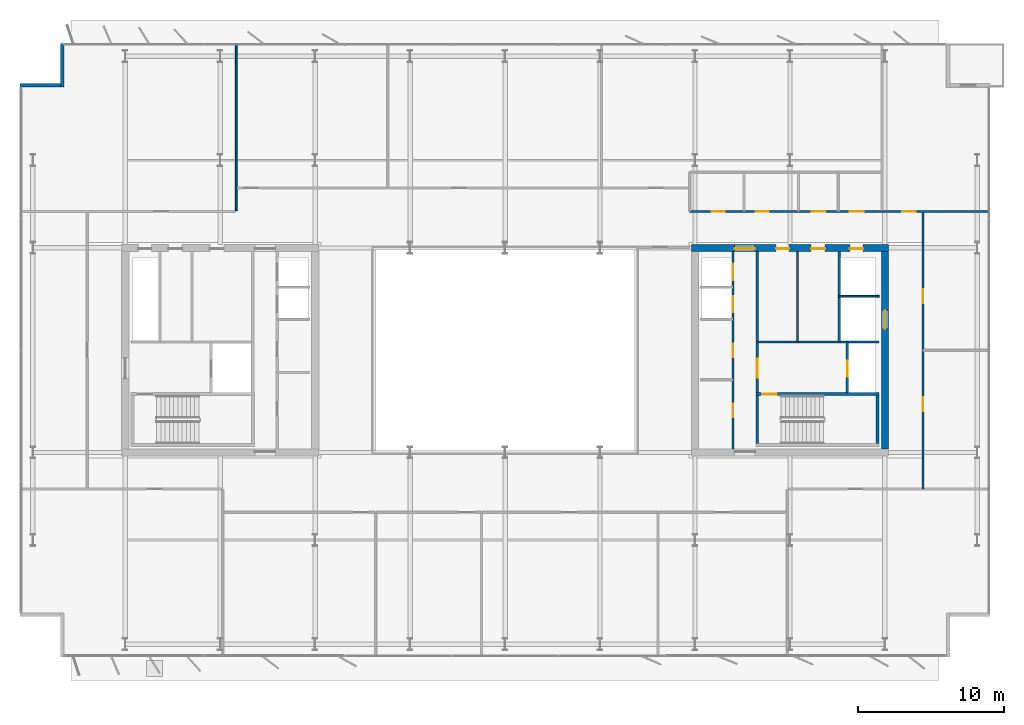
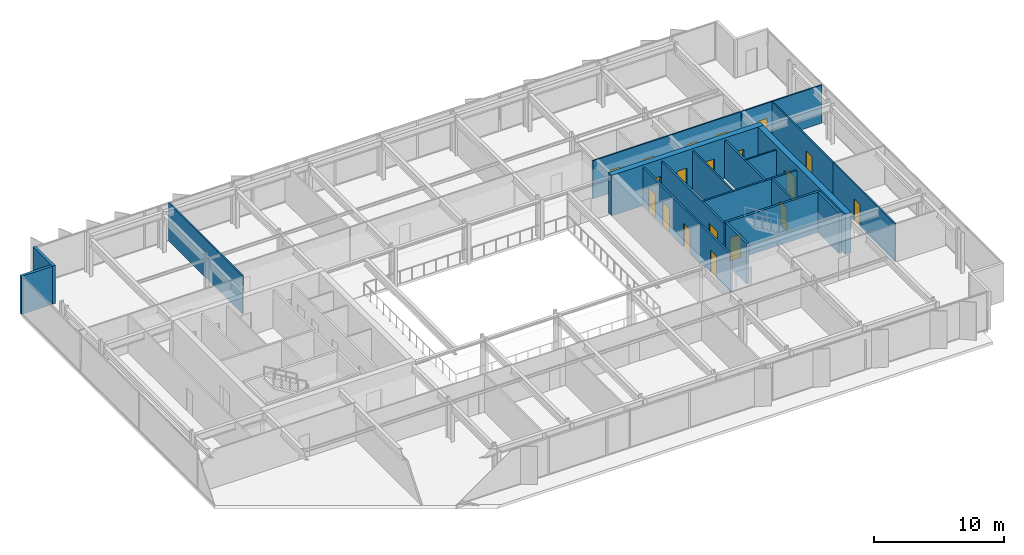
# One storey, part 18 of 23: 19 doors, 19 walls, 19 openings.
"""IFC4 building model written with IfcOpenShell, lengths in metres."""

from ifc_helpers import new_model, si_unit, direction, frame, frame_2d, origin, place, context, subcontext, project, spatial, rectangle, extrude, material, layer, layer_set, type_object, element, fill, save


model = new_model("IFC4")

# Units and contexts
model_context = context("Model", 3, precision=1e-05, world=origin(), true_north=direction((0.0, 1.0)))
body_context = subcontext(model_context, "Body", "Model", "MODEL_VIEW")
ifc_project = project(units=[si_unit("LENGTHUNIT", "METRE"), si_unit("AREAUNIT", "SQUARE_METRE"), si_unit("VOLUMEUNIT", "CUBIC_METRE"), si_unit("PLANEANGLEUNIT", "RADIAN"), si_unit("MASSUNIT", "GRAM", prefix="KILO")], contexts=[model_context])

# Site, building, storey
site_placement = place(None, origin())
site = spatial("IfcSite", under=ifc_project, at=site_placement, CompositionType="ELEMENT")
building_placement = place(site_placement, origin())
building = spatial("IfcBuilding", under=site, at=building_placement, Name="Putna Gate Headquarters", CompositionType="ELEMENT")
storey_placement = place(building_placement, frame((0.0, 0.0, 202.39990234375)))
storey = spatial("IfcBuildingStorey", under=building, at=storey_placement, Name="L50", CompositionType="ELEMENT", Elevation=202.39990234375)

# Wall, openings, doors
ifc_material_1 = material(Name="Concrete C50/60", Category="concrete")
ifc_layer_1 = layer(ifc_material_1, 0.5)
ifc_layer_set_1 = layer_set([ifc_layer_1], Name="Concrete C50/60")
wall_type_1 = type_object("IfcWallType", Name="WALL-CORE-500", PredefinedType="SHEAR", material=ifc_layer_set_1)
wall_1_placement = place(storey_placement, frame((51.75, 33.0, 0.0), z_axis=(0.0, 0.0, 1.0), x_axis=(1.0, 0.0, 0.0)))
wall_1 = element("IfcWall", 1, at=wall_1_placement, inside=storey, type_object=wall_type_1, Name="L50 EC Split Core Shear Wall N", PredefinedType="SHEAR", context=body_context, shape_type="SweptSolid", body=[
    extrude(rectangle(XDim=13.5, YDim=0.5, at=frame_2d((6.75, 0.0))), origin(), (0.0, 0.0, 1.0), 3.800048828125),
])
opening_1_placement = place(wall_1_placement, frame((2.969970703125, 0.0, 0.0)))
opening_1 = element("IfcOpeningElement", 2, at=opening_1_placement, cuts=wall_1, Name="Opening FDD-140", PredefinedType="OPENING", context=body_context, shape_type="SweptSolid", body=[
    extrude(rectangle(XDim=1.39990234375, YDim=2.199951171875, at=frame_2d((0.699951171875, 1.10009765625))), frame((0.0, 0.260009765625, 0.0), z_axis=(0.0, -1.0, 0.0), x_axis=(1.0, 0.0, 0.0)), (0.0, 0.0, 1.0), 0.52001953125),
])
opening_2_placement = place(wall_1_placement, frame((10.85009765625, 0.0, 0.0)))
opening_2 = element("IfcOpeningElement", 3, at=opening_2_placement, cuts=wall_1, Name="Opening RD-90", PredefinedType="OPENING", context=body_context, shape_type="SweptSolid", body=[
    extrude(rectangle(XDim=0.89990234375, YDim=2.14990234375, at=frame_2d((0.449951171875, 1.074951171875))), frame((0.0, 0.260009765625, 0.0), z_axis=(0.0, -1.0, 0.0), x_axis=(1.0, 0.0, 0.0)), (0.0, 0.0, 1.0), 0.52001953125),
])
opening_3_placement = place(wall_1_placement, frame((5.800048828125, 0.0, 0.0)))
opening_3 = element("IfcOpeningElement", 4, at=opening_3_placement, cuts=wall_1, Name="Opening IDS-90", PredefinedType="OPENING", context=body_context, shape_type="SweptSolid", body=[
    extrude(rectangle(XDim=0.89990234375, YDim=2.14990234375, at=frame_2d((0.449951171875, 1.074951171875))), frame((0.0, 0.260009765625, 0.0), z_axis=(0.0, -1.0, 0.0), x_axis=(1.0, 0.0, 0.0)), (0.0, 0.0, 1.0), 0.52001953125),
])
opening_4_placement = place(wall_1_placement, frame((8.199951171875, 0.0, 0.0)))
opening_4 = element("IfcOpeningElement", 5, at=opening_4_placement, cuts=wall_1, Name="Opening IDS-95", PredefinedType="OPENING", context=body_context, shape_type="SweptSolid", body=[
    extrude(rectangle(XDim=0.949951171875, YDim=2.14990234375, at=frame_2d((0.47509765625, 1.074951171875))), frame((0.0, 0.260009765625, 0.0), z_axis=(0.0, -1.0, 0.0), x_axis=(1.0, 0.0, 0.0)), (0.0, 0.0, 1.0), 0.52001953125),
])
ifc_material_2 = material(Name="Double steel fire door", Category="steel")
door_type_1 = type_object("IfcDoorType", Name="DOOR-FIRE-DBL-1400", OperationType="DOUBLE_DOOR_SINGLE_SWING", PredefinedType="DOOR", material=ifc_material_2)
door_1_placement = place(opening_1_placement, origin())
door_1 = element("IfcDoor", 6, at=door_1_placement, inside=storey, type_object=door_type_1, Name="L50 East Lift Lobby North Door", OperationType="DOUBLE_DOOR_SINGLE_SWING", OverallHeight=2.199951171875, OverallWidth=1.39990234375, PredefinedType="DOOR", context=body_context, shape_type="SweptSolid", body=[
    extrude(rectangle(XDim=1.39990234375, YDim=2.199951171875, at=frame_2d((0.699951171875, 1.10009765625))), frame((0.0, -0.02490234375, 0.0), z_axis=(0.0, -1.0, 0.0), x_axis=(1.0, 0.0, 0.0)), (0.0, 0.0, 1.0), 0.050048828125),
])
fill(opening_1, door_1)
ifc_material_3 = material(Name="Fire-rated utility door")
door_type_2 = type_object("IfcDoorType", Name="DOOR-INT-900", OperationType="NOTDEFINED", PredefinedType="DOOR", material=ifc_material_3)
door_2_placement = place(opening_3_placement, origin())
door_2 = element("IfcDoor", 7, at=door_2_placement, inside=storey, type_object=door_type_2, Name="L50 Telecoms Plant Door", OperationType="SINGLE_SWING_LEFT", OverallHeight=2.14990234375, OverallWidth=0.89990234375, PredefinedType="DOOR", context=body_context, shape_type="SweptSolid", body=[
    extrude(rectangle(XDim=0.89990234375, YDim=2.14990234375, at=frame_2d((0.449951171875, 1.074951171875))), frame((0.0, -0.02490234375, 0.0), z_axis=(0.0, -1.0, 0.0), x_axis=(1.0, 0.0, 0.0)), (0.0, 0.0, 1.0), 0.050048828125),
])
fill(opening_3, door_2)
ifc_material_4 = material(Name="Fire-rated service timber door", Category="wood")
door_type_3 = type_object("IfcDoorType", Name="DOOR-INT-950", OperationType="NOTDEFINED", PredefinedType="DOOR", material=ifc_material_4)
door_3_placement = place(opening_4_placement, origin())
door_3 = element("IfcDoor", 8, at=door_3_placement, inside=storey, type_object=door_type_3, Name="L50 Supplies Store Door", OperationType="SINGLE_SWING_RIGHT", OverallHeight=2.14990234375, OverallWidth=0.949951171875, PredefinedType="DOOR", context=body_context, shape_type="SweptSolid", body=[
    extrude(rectangle(XDim=0.949951171875, YDim=2.14990234375, at=frame_2d((0.47509765625, 1.074951171875))), frame((0.0, -0.02490234375, 0.0), z_axis=(0.0, -1.0, 0.0), x_axis=(1.0, 0.0, 0.0)), (0.0, 0.0, 1.0), 0.050048828125),
])
fill(opening_4, door_3)
ifc_material_5 = material(Name="Steel riser access fire door", Category="steel")
door_type_4 = type_object("IfcDoorType", Name="DOOR-RISER-900", OperationType="NOTDEFINED", PredefinedType="DOOR", material=ifc_material_5)
door_4_placement = place(opening_2_placement, origin())
door_4 = element("IfcDoor", 9, at=door_4_placement, inside=storey, type_object=door_type_4, Name="L50 East Riser Access Door", OperationType="SINGLE_SWING_LEFT", OverallHeight=2.14990234375, OverallWidth=0.89990234375, PredefinedType="DOOR", context=body_context, shape_type="SweptSolid", body=[
    extrude(rectangle(XDim=0.89990234375, YDim=2.14990234375, at=frame_2d((0.449951171875, 1.074951171875))), frame((0.0, -0.02490234375, 0.0), z_axis=(0.0, -1.0, 0.0), x_axis=(1.0, 0.0, 0.0)), (0.0, 0.0, 1.0), 0.050048828125),
])
fill(opening_2, door_4)

# Wall, opening, door
wall_2_placement = place(storey_placement, frame((65.0, 19.25, 0.0), z_axis=(0.0, 0.0, 1.0), x_axis=(0.0, 1.0, 0.0)))
wall_2 = element("IfcWall", 10, at=wall_2_placement, inside=storey, type_object=wall_type_1, Name="L50 EC Split Core Shear Wall E", PredefinedType="SHEAR", context=body_context, shape_type="SweptSolid", body=[
    extrude(rectangle(XDim=13.5, YDim=0.5, at=frame_2d((6.75, 0.0))), origin(), (0.0, 0.0, 1.0), 3.800048828125),
])
opening_5_placement = place(wall_2_placement, frame((8.199951171875, 0.0, 0.0)))
opening_5 = element("IfcOpeningElement", 11, at=opening_5_placement, cuts=wall_2, Name="Opening LD-2", PredefinedType="OPENING", context=body_context, shape_type="SweptSolid", body=[
    extrude(rectangle(XDim=1.300048828125, YDim=2.199951171875, at=frame_2d((0.64990234375, 1.10009765625))), frame((0.0, 0.260009765625, 0.0), z_axis=(0.0, -1.0, 0.0), x_axis=(1.0, 0.0, 0.0)), (0.0, 0.0, 1.0), 0.52001953125),
])
ifc_material_6 = material(Name="Heavy-duty goods lift sliding landing door")
door_type_5 = type_object("IfcDoorType", Name="DOOR-LIFT-1300", OperationType="DOUBLE_DOOR_SLIDING", PredefinedType="DOOR", material=ifc_material_6)
door_5_placement = place(opening_5_placement, origin())
door_5 = element("IfcDoor", 12, at=door_5_placement, inside=storey, type_object=door_type_5, Name="L50 Goods Lift Landing Door LD-15", OperationType="DOUBLE_DOOR_SLIDING", OverallHeight=2.199951171875, OverallWidth=1.300048828125, PredefinedType="DOOR", context=body_context, shape_type="SweptSolid", body=[
    extrude(rectangle(XDim=1.300048828125, YDim=2.199951171875, at=frame_2d((0.64990234375, 1.10009765625))), frame((0.0, 0.02490234375, 0.0), z_axis=(0.0, -1.0, 0.0), x_axis=(1.0, 0.0, 0.0)), (0.0, 0.0, 1.0), 0.050048828125),
])
fill(opening_5, door_5)

# Walls
ifc_material_7 = material(Name="Precast concrete C40/50", Category="concrete")
ifc_layer_2 = layer(ifc_material_7, 0.239990234375)
ifc_layer_set_2 = layer_set([ifc_layer_2], Name="Precast concrete C40/50")
wall_type_2 = type_object("IfcWallType", Name="WALL-EXT-TERR-240", PredefinedType="STANDARD", material=ifc_layer_set_2)
for number, where, z_axis, x_axis, name in (
    (13, (8.679931640625, 44.0, 0.0), (0.0, 0.0, 1.0), (0.0, 1.0, 0.0), "L50 Corner Notch Return Wall NW-V"),
    (14, (5.800048828125, 44.1201171875, 0.0), (0.0, 0.0, 1.0), (1.0, 0.0, 0.0), "L50 Corner Notch Return Wall NW-H"),
):
    element("IfcWall", number, at=place(storey_placement, frame(where, z_axis=z_axis, x_axis=x_axis)), inside=storey, type_object=wall_type_2, Name=name, PredefinedType="STANDARD", context=body_context, shape_type="SweptSolid", body=[
        extrude(rectangle(XDim=3.0, YDim=0.239990234375, at=frame_2d((1.5, 0.0))), origin(), (0.0, 0.0, 1.0), 3.580078125),
    ])
ifc_material_8 = material(Name="Acoustic gypsum board on metal stud")
ifc_layer_3 = layer(ifc_material_8, 0.1201171875)
ifc_layer_set_3 = layer_set([ifc_layer_3], Name="Acoustic gypsum board on metal stud")
wall_type_3 = type_object("IfcWallType", Name="WALL-PART-120", PredefinedType="PARTITIONING", material=ifc_layer_set_3)
wall_3_placement = place(storey_placement, frame((20.60888671875, 35.56005859375, 0.0), z_axis=(0.0, 0.0, 1.0), x_axis=(0.0, 1.0, 0.0)))
element("IfcWall", 15, at=wall_3_placement, inside=storey, type_object=wall_type_3, Name="L50 Interior Wall PART-L50-NB-DIV-01", PredefinedType="PARTITIONING", context=body_context, shape_type="SweptSolid", body=[
    extrude(rectangle(XDim=11.419921875, YDim=0.1201171875, at=frame_2d((5.7099609375, 0.0))), origin(), (0.0, 0.0, 1.0), 3.580078125),
])
ifc_material_9 = material(Name="Fire-rated shaftwall gypsum board on metal stud")
ifc_layer_4 = layer(ifc_material_9, 0.1201171875)
ifc_layer_set_4 = layer_set([ifc_layer_4], Name="Fire-rated shaftwall gypsum board on metal stud")
wall_type_4 = type_object("IfcWallType", Name="WALL-PART-120-EI120", PredefinedType="PARTITIONING", material=ifc_layer_set_4)
wall_4_placement = place(storey_placement, frame((61.8701171875, 29.699951171875, 0.0), z_axis=(0.0, 0.0, 1.0), x_axis=(1.0, 0.0, 0.0)))
element("IfcWall", 16, at=wall_4_placement, inside=storey, type_object=wall_type_4, Name="L50 Interior Wall CWINT-L50-EC-LF15-N", PredefinedType="PARTITIONING", context=body_context, shape_type="SweptSolid", body=[
    extrude(rectangle(XDim=2.72998046875, YDim=0.1201171875, at=frame_2d((1.364990234375, 0.0))), origin(), (0.0, 0.0, 1.0), 3.580078125),
])
ifc_material_10 = material(Name="Fire-rated gypsum board on metal stud")
ifc_layer_5 = layer(ifc_material_10, 0.1201171875)
ifc_layer_set_5 = layer_set([ifc_layer_5], Name="Fire-rated gypsum board on metal stud")
wall_type_5 = type_object("IfcWallType", Name="WALL-PART-120-RATED", PredefinedType="PARTITIONING", material=ifc_layer_set_5)
wall_5_placement = place(storey_placement, frame((59.02001953125, 26.56005859375, 0.0), z_axis=(0.0, 0.0, 1.0), x_axis=(0.0, 1.0, 0.0)))
element("IfcWall", 17, at=wall_5_placement, inside=storey, type_object=wall_type_5, Name="L50 Interior Wall CWINT-L50-EC-K1-DIV", PredefinedType="PARTITIONING", context=body_context, shape_type="SweptSolid", body=[
    extrude(rectangle(XDim=6.18994140625, YDim=0.1201171875, at=frame_2d((3.094970703125, 0.0))), origin(), (0.0, 0.0, 1.0), 3.580078125),
])

# Wall, openings, doors
wall_6_placement = place(storey_placement, frame((51.639892578125, 35.5, 0.0), z_axis=(0.0, 0.0, 1.0), x_axis=(1.0, 0.0, 0.0)))
wall_6 = element("IfcWall", 18, at=wall_6_placement, inside=storey, type_object=wall_type_5, Name="L50 Interior Wall PART-L50-SAN-CW", PredefinedType="PARTITIONING", context=body_context, shape_type="SweptSolid", body=[
    extrude(rectangle(XDim=13.16015625, YDim=0.1201171875, at=frame_2d((6.580078125, 0.0))), origin(), (0.0, 0.0, 1.0), 3.580078125),
])
opening_6_placement = place(wall_6_placement, frame((1.510009765625, 0.0, 0.0)))
opening_6 = element("IfcOpeningElement", 19, at=opening_6_placement, cuts=wall_6, Name="Opening FD-90", PredefinedType="OPENING", context=body_context, shape_type="SweptSolid", body=[
    extrude(rectangle(XDim=0.89990234375, YDim=2.14990234375, at=frame_2d((0.449951171875, 1.074951171875))), frame((0.0, 0.070068359375, 0.0), z_axis=(0.0, -1.0, 0.0), x_axis=(1.0, 0.0, 0.0)), (0.0, 0.0, 1.0), 0.14013671875),
])
opening_7_placement = place(wall_6_placement, frame((4.510009765625, 0.0, 0.0)))
opening_7 = element("IfcOpeningElement", 20, at=opening_7_placement, cuts=wall_6, Name="Opening FD-90", PredefinedType="OPENING", context=body_context, shape_type="SweptSolid", body=[
    extrude(rectangle(XDim=0.89990234375, YDim=2.14990234375, at=frame_2d((0.449951171875, 1.074951171875))), frame((0.0, 0.070068359375, 0.0), z_axis=(0.0, -1.0, 0.0), x_axis=(1.0, 0.0, 0.0)), (0.0, 0.0, 1.0), 0.14013671875),
])
opening_8_placement = place(wall_6_placement, frame((8.360107421875, 0.0, 0.0)))
opening_8 = element("IfcOpeningElement", 21, at=opening_8_placement, cuts=wall_6, Name="Opening FD-90", PredefinedType="OPENING", context=body_context, shape_type="SweptSolid", body=[
    extrude(rectangle(XDim=0.89990234375, YDim=2.14990234375, at=frame_2d((0.449951171875, 1.074951171875))), frame((0.0, 0.070068359375, 0.0), z_axis=(0.0, -1.0, 0.0), x_axis=(1.0, 0.0, 0.0)), (0.0, 0.0, 1.0), 0.14013671875),
])
opening_9_placement = place(wall_6_placement, frame((10.9599609375, 0.0, 0.0)))
opening_9 = element("IfcOpeningElement", 22, at=opening_9_placement, cuts=wall_6, Name="Opening FD-95", PredefinedType="OPENING", context=body_context, shape_type="SweptSolid", body=[
    extrude(rectangle(XDim=0.949951171875, YDim=2.14990234375, at=frame_2d((0.47509765625, 1.074951171875))), frame((0.0, 0.070068359375, 0.0), z_axis=(0.0, -1.0, 0.0), x_axis=(1.0, 0.0, 0.0)), (0.0, 0.0, 1.0), 0.14013671875),
])
ifc_material_11 = material(Name="Acoustic washroom fire door")
door_type_6 = type_object("IfcDoorType", Name="DOOR-FIRE-900", OperationType="NOTDEFINED", PredefinedType="DOOR", material=ifc_material_11)
door_6_placement = place(opening_6_placement, origin())
door_6 = element("IfcDoor", 23, at=door_6_placement, inside=storey, type_object=door_type_6, Name="L50 Washroom Male Door", OperationType="SINGLE_SWING_RIGHT", OverallHeight=2.14990234375, OverallWidth=0.89990234375, PredefinedType="DOOR", context=body_context, shape_type="SweptSolid", body=[
    extrude(rectangle(XDim=0.89990234375, YDim=2.14990234375, at=frame_2d((0.449951171875, 1.074951171875))), frame((0.0, 0.02490234375, 0.0), z_axis=(0.0, -1.0, 0.0), x_axis=(1.0, 0.0, 0.0)), (0.0, 0.0, 1.0), 0.050048828125),
])
fill(opening_6, door_6)
door_7_placement = place(opening_7_placement, origin())
door_7 = element("IfcDoor", 24, at=door_7_placement, inside=storey, type_object=door_type_6, Name="L50 Washroom Female Door", OperationType="SINGLE_SWING_LEFT", OverallHeight=2.14990234375, OverallWidth=0.89990234375, PredefinedType="DOOR", context=body_context, shape_type="SweptSolid", body=[
    extrude(rectangle(XDim=0.89990234375, YDim=2.14990234375, at=frame_2d((0.449951171875, 1.074951171875))), frame((0.0, 0.02490234375, 0.0), z_axis=(0.0, -1.0, 0.0), x_axis=(1.0, 0.0, 0.0)), (0.0, 0.0, 1.0), 0.050048828125),
])
fill(opening_7, door_7)
door_8_placement = place(opening_8_placement, origin())
door_8 = element("IfcDoor", 25, at=door_8_placement, inside=storey, type_object=door_type_6, Name="L50 Accessible WC Door", OperationType="SINGLE_SWING_RIGHT", OverallHeight=2.14990234375, OverallWidth=0.89990234375, PredefinedType="DOOR", context=body_context, shape_type="SweptSolid", body=[
    extrude(rectangle(XDim=0.89990234375, YDim=2.14990234375, at=frame_2d((0.449951171875, 1.074951171875))), frame((0.0, 0.02490234375, 0.0), z_axis=(0.0, -1.0, 0.0), x_axis=(1.0, 0.0, 0.0)), (0.0, 0.0, 1.0), 0.050048828125),
])
fill(opening_8, door_8)
ifc_material_12 = material(Name="Acoustic timber fire door", Category="wood")
door_type_7 = type_object("IfcDoorType", Name="DOOR-FIRE-950", OperationType="NOTDEFINED", PredefinedType="DOOR", material=ifc_material_12)
door_9_placement = place(opening_9_placement, origin())
door_9 = element("IfcDoor", 26, at=door_9_placement, inside=storey, type_object=door_type_7, Name="L50 Staff Pantry and Tea Point Door", OperationType="SINGLE_SWING_LEFT", OverallHeight=2.14990234375, OverallWidth=0.949951171875, PredefinedType="DOOR", context=body_context, shape_type="SweptSolid", body=[
    extrude(rectangle(XDim=0.949951171875, YDim=2.14990234375, at=frame_2d((0.47509765625, 1.074951171875))), frame((0.0, 0.02490234375, 0.0), z_axis=(0.0, -1.0, 0.0), x_axis=(1.0, 0.0, 0.0)), (0.0, 0.0, 1.0), 0.050048828125),
])
fill(opening_9, door_9)

# Wall, opening, door
wall_7_placement = place(storey_placement, frame((64.860107421875, 35.5, 0.0), z_axis=(0.0, 0.0, 1.0), x_axis=(1.0, 0.0, 0.0)))
wall_7 = element("IfcWall", 27, at=wall_7_placement, inside=storey, type_object=wall_type_5, Name="L50 Interior Wall PART-L50-NB-CW-05", PredefinedType="PARTITIONING", context=body_context, shape_type="SweptSolid", body=[
    extrude(rectangle(XDim=7.159912109375, YDim=0.1201171875, at=frame_2d((3.580078125, 0.0))), origin(), (0.0, 0.0, 1.0), 3.580078125),
])
opening_10_placement = place(wall_7_placement, frame((1.31005859375, 0.0, 0.0)))
opening_10 = element("IfcOpeningElement", 28, at=opening_10_placement, cuts=wall_7, Name="Opening FD-95", PredefinedType="OPENING", context=body_context, shape_type="SweptSolid", body=[
    extrude(rectangle(XDim=0.949951171875, YDim=2.14990234375, at=frame_2d((0.47509765625, 1.074951171875))), frame((0.0, 0.070068359375, 0.0), z_axis=(0.0, -1.0, 0.0), x_axis=(1.0, 0.0, 0.0)), (0.0, 0.0, 1.0), 0.14013671875),
])
door_10_placement = place(opening_10_placement, origin())
door_10 = element("IfcDoor", 29, at=door_10_placement, inside=storey, type_object=door_type_7, Name="L50 Conference Meeting Room 2 Door", OperationType="SINGLE_SWING_RIGHT", OverallHeight=2.14990234375, OverallWidth=0.949951171875, PredefinedType="DOOR", context=body_context, shape_type="SweptSolid", body=[
    extrude(rectangle(XDim=0.949951171875, YDim=2.14990234375, at=frame_2d((0.47509765625, 1.074951171875))), frame((0.0, 0.02490234375, 0.0), z_axis=(0.0, -1.0, 0.0), x_axis=(1.0, 0.0, 0.0)), (0.0, 0.0, 1.0), 0.050048828125),
])
fill(opening_10, door_10)

wall_8_placement = place(storey_placement, frame((67.60009765625, 16.5, 0.0), z_axis=(0.0, 0.0, 1.0), x_axis=(0.0, 1.0, 0.0)))
wall_8 = element("IfcWall", 30, at=wall_8_placement, inside=storey, type_object=wall_type_5, Name="L50 Interior Wall PART-L50-EW-CW-1", PredefinedType="PARTITIONING", context=body_context, shape_type="SweptSolid", body=[
    extrude(rectangle(XDim=9.5, YDim=0.1201171875, at=frame_2d((4.75, 0.0))), origin(), (0.0, 0.0, 1.0), 3.580078125),
])
opening_11_placement = place(wall_8_placement, frame((5.324951171875, 0.0, 0.0)))
opening_11 = element("IfcOpeningElement", 31, at=opening_11_placement, cuts=wall_8, Name="Opening FD-95", PredefinedType="OPENING", context=body_context, shape_type="SweptSolid", body=[
    extrude(rectangle(XDim=0.949951171875, YDim=2.14990234375, at=frame_2d((0.47509765625, 1.074951171875))), frame((0.0, 0.070068359375, 0.0), z_axis=(0.0, -1.0, 0.0), x_axis=(1.0, 0.0, 0.0)), (0.0, 0.0, 1.0), 0.14013671875),
])
door_11_placement = place(opening_11_placement, origin())
door_11 = element("IfcDoor", 32, at=door_11_placement, inside=storey, type_object=door_type_7, Name="L50 East Advisory Office 1 Door", OperationType="SINGLE_SWING_RIGHT", OverallHeight=2.14990234375, OverallWidth=0.949951171875, PredefinedType="DOOR", context=body_context, shape_type="SweptSolid", body=[
    extrude(rectangle(XDim=0.949951171875, YDim=2.14990234375, at=frame_2d((0.47509765625, 1.074951171875))), frame((0.0, 0.02490234375, 0.0), z_axis=(0.0, -1.0, 0.0), x_axis=(1.0, 0.0, 0.0)), (0.0, 0.0, 1.0), 0.050048828125),
])
fill(opening_11, door_11)

wall_9_placement = place(storey_placement, frame((67.60009765625, 26.0, 0.0), z_axis=(0.0, 0.0, 1.0), x_axis=(0.0, 1.0, 0.0)))
wall_9 = element("IfcWall", 33, at=wall_9_placement, inside=storey, type_object=wall_type_5, Name="L50 Interior Wall PART-L50-EW-CW-2", PredefinedType="PARTITIONING", context=body_context, shape_type="SweptSolid", body=[
    extrude(rectangle(XDim=9.5, YDim=0.1201171875, at=frame_2d((4.75, 0.0))), origin(), (0.0, 0.0, 1.0), 3.580078125),
])
opening_12_placement = place(wall_9_placement, frame((3.22509765625, 0.0, 0.0)))
opening_12 = element("IfcOpeningElement", 34, at=opening_12_placement, cuts=wall_9, Name="Opening FD-95", PredefinedType="OPENING", context=body_context, shape_type="SweptSolid", body=[
    extrude(rectangle(XDim=0.949951171875, YDim=2.14990234375, at=frame_2d((0.47509765625, 1.074951171875))), frame((0.0, 0.070068359375, 0.0), z_axis=(0.0, -1.0, 0.0), x_axis=(1.0, 0.0, 0.0)), (0.0, 0.0, 1.0), 0.14013671875),
])
door_12_placement = place(opening_12_placement, origin())
door_12 = element("IfcDoor", 35, at=door_12_placement, inside=storey, type_object=door_type_7, Name="L50 East Advisory Office 2 Door", OperationType="SINGLE_SWING_LEFT", OverallHeight=2.14990234375, OverallWidth=0.949951171875, PredefinedType="DOOR", context=body_context, shape_type="SweptSolid", body=[
    extrude(rectangle(XDim=0.949951171875, YDim=2.14990234375, at=frame_2d((0.47509765625, 1.074951171875))), frame((0.0, 0.02490234375, 0.0), z_axis=(0.0, -1.0, 0.0), x_axis=(1.0, 0.0, 0.0)), (0.0, 0.0, 1.0), 0.050048828125),
])
fill(opening_12, door_12)

# Wall, openings, doors
ifc_material_13 = material(Name="Concrete C40/50", Category="concrete")
ifc_layer_6 = layer(ifc_material_13, 0.159912109375)
ifc_layer_set_6 = layer_set([ifc_layer_6], Name="Concrete C40/50")
wall_type_6 = type_object("IfcWallType", Name="WALL-SHAFT-160", PredefinedType="STANDARD", material=ifc_layer_set_6)
wall_10_placement = place(storey_placement, frame((54.60009765625, 19.25, 0.0), z_axis=(0.0, 0.0, 1.0), x_axis=(0.0, 1.0, 0.0)))
wall_10 = element("IfcWall", 36, at=wall_10_placement, inside=storey, type_object=wall_type_6, Name="L50 Interior Wall CWINT-L50-EC-PL-WALL", PredefinedType="STANDARD", context=body_context, shape_type="SweptSolid", body=[
    extrude(rectangle(XDim=13.5, YDim=0.159912109375, at=frame_2d((6.75, 0.0))), origin(), (0.0, 0.0, 1.0), 3.580078125),
])
opening_13_placement = place(wall_10_placement, frame((2.14990234375, 0.0, 0.0)))
opening_13 = element("IfcOpeningElement", 37, at=opening_13_placement, cuts=wall_10, Name="Opening IDS-95", PredefinedType="OPENING", context=body_context, shape_type="SweptSolid", body=[
    extrude(rectangle(XDim=0.949951171875, YDim=2.14990234375, at=frame_2d((0.47509765625, 1.074951171875))), frame((0.0, 0.08984375, 0.0), z_axis=(0.0, -1.0, 0.0), x_axis=(1.0, 0.0, 0.0)), (0.0, 0.0, 1.0), 0.179931640625),
])
opening_14_placement = place(wall_10_placement, frame((6.25, 0.0, 0.0)))
opening_14 = element("IfcOpeningElement", 38, at=opening_14_placement, cuts=wall_10, Name="Opening IDS-95", PredefinedType="OPENING", context=body_context, shape_type="SweptSolid", body=[
    extrude(rectangle(XDim=0.949951171875, YDim=2.14990234375, at=frame_2d((0.47509765625, 1.074951171875))), frame((0.0, 0.08984375, 0.0), z_axis=(0.0, -1.0, 0.0), x_axis=(1.0, 0.0, 0.0)), (0.0, 0.0, 1.0), 0.179931640625),
])
opening_15_placement = place(wall_10_placement, frame((9.35009765625, 0.0, 0.0)))
opening_15 = element("IfcOpeningElement", 39, at=opening_15_placement, cuts=wall_10, Name="Opening LD-1", PredefinedType="OPENING", context=body_context, shape_type="SweptSolid", body=[
    extrude(rectangle(XDim=1.10009765625, YDim=2.199951171875, at=frame_2d((0.550048828125, 1.10009765625))), frame((0.0, 0.08984375, 0.0), z_axis=(0.0, -1.0, 0.0), x_axis=(1.0, 0.0, 0.0)), (0.0, 0.0, 1.0), 0.179931640625),
])
opening_16_placement = place(wall_10_placement, frame((11.550048828125, 0.0, 0.0)))
opening_16 = element("IfcOpeningElement", 40, at=opening_16_placement, cuts=wall_10, Name="Opening LD-1", PredefinedType="OPENING", context=body_context, shape_type="SweptSolid", body=[
    extrude(rectangle(XDim=1.10009765625, YDim=2.199951171875, at=frame_2d((0.550048828125, 1.10009765625))), frame((0.0, 0.08984375, 0.0), z_axis=(0.0, -1.0, 0.0), x_axis=(1.0, 0.0, 0.0)), (0.0, 0.0, 1.0), 0.179931640625),
])
door_13_placement = place(opening_13_placement, origin())
door_13 = element("IfcDoor", 41, at=door_13_placement, inside=storey, type_object=door_type_3, Name="L50 Executive Archive Door", OperationType="SINGLE_SWING_RIGHT", OverallHeight=2.14990234375, OverallWidth=0.949951171875, PredefinedType="DOOR", context=body_context, shape_type="SweptSolid", body=[
    extrude(rectangle(XDim=0.949951171875, YDim=2.14990234375, at=frame_2d((0.47509765625, 1.074951171875))), frame((0.0, 0.02490234375, 0.0), z_axis=(0.0, -1.0, 0.0), x_axis=(1.0, 0.0, 0.0)), (0.0, 0.0, 1.0), 0.050048828125),
])
fill(opening_13, door_13)
door_14_placement = place(opening_14_placement, origin())
door_14 = element("IfcDoor", 42, at=door_14_placement, inside=storey, type_object=door_type_3, Name="L50 Comms Distribution Door", OperationType="SINGLE_SWING_LEFT", OverallHeight=2.14990234375, OverallWidth=0.949951171875, PredefinedType="DOOR", context=body_context, shape_type="SweptSolid", body=[
    extrude(rectangle(XDim=0.949951171875, YDim=2.14990234375, at=frame_2d((0.47509765625, 1.074951171875))), frame((0.0, 0.02490234375, 0.0), z_axis=(0.0, -1.0, 0.0), x_axis=(1.0, 0.0, 0.0)), (0.0, 0.0, 1.0), 0.050048828125),
])
fill(opening_14, door_14)
ifc_material_14 = material(Name="Brushed bronze stainless lift landing door")
door_type_8 = type_object("IfcDoorType", Name="DOOR-LIFT-1100", OperationType="DOUBLE_DOOR_SLIDING", PredefinedType="DOOR", material=ifc_material_14)
door_15_placement = place(opening_15_placement, origin())
door_15 = element("IfcDoor", 43, at=door_15_placement, inside=storey, type_object=door_type_8, Name="L50 Lift Landing Door LD-11", OperationType="DOUBLE_DOOR_SLIDING", OverallHeight=2.199951171875, OverallWidth=1.10009765625, PredefinedType="DOOR", context=body_context, shape_type="SweptSolid", body=[
    extrude(rectangle(XDim=1.10009765625, YDim=2.199951171875, at=frame_2d((0.550048828125, 1.10009765625))), frame((0.0, 0.02490234375, 0.0), z_axis=(0.0, -1.0, 0.0), x_axis=(1.0, 0.0, 0.0)), (0.0, 0.0, 1.0), 0.050048828125),
])
fill(opening_15, door_15)
door_16_placement = place(opening_16_placement, origin())
door_16 = element("IfcDoor", 44, at=door_16_placement, inside=storey, type_object=door_type_8, Name="L50 Lift Landing Door LD-12", OperationType="DOUBLE_DOOR_SLIDING", OverallHeight=2.199951171875, OverallWidth=1.10009765625, PredefinedType="DOOR", context=body_context, shape_type="SweptSolid", body=[
    extrude(rectangle(XDim=1.10009765625, YDim=2.199951171875, at=frame_2d((0.550048828125, 1.10009765625))), frame((0.0, 0.02490234375, 0.0), z_axis=(0.0, -1.0, 0.0), x_axis=(1.0, 0.0, 0.0)), (0.0, 0.0, 1.0), 0.050048828125),
])
fill(opening_16, door_16)

# Wall, opening, door
wall_11_placement = place(storey_placement, frame((56.260009765625, 23.090087890625, 0.0), z_axis=(0.0, 0.0, 1.0), x_axis=(0.0, 1.0, 0.0)))
wall_11 = element("IfcWall", 45, at=wall_11_placement, inside=storey, type_object=wall_type_6, Name="L50 Interior Wall CWINT-L50-EC-LOB-E", PredefinedType="STANDARD", context=body_context, shape_type="SweptSolid", body=[
    extrude(rectangle(XDim=9.659912109375, YDim=0.159912109375, at=frame_2d((4.830078125, 0.0))), origin(), (0.0, 0.0, 1.0), 3.580078125),
])
opening_17_placement = place(wall_11_placement, frame((1.010009765625, 0.0, 0.0)))
opening_17 = element("IfcOpeningElement", 46, at=opening_17_placement, cuts=wall_11, Name="Opening FDD-130", PredefinedType="OPENING", context=body_context, shape_type="SweptSolid", body=[
    extrude(rectangle(XDim=1.300048828125, YDim=2.199951171875, at=frame_2d((0.64990234375, 1.10009765625))), frame((0.0, 0.08984375, 0.0), z_axis=(0.0, -1.0, 0.0), x_axis=(1.0, 0.0, 0.0)), (0.0, 0.0, 1.0), 0.179931640625),
])
ifc_material_15 = material(Name="Double steel lobby fire door", Category="steel")
door_type_9 = type_object("IfcDoorType", Name="DOOR-FIRE-DBL-1300", OperationType="DOUBLE_DOOR_SINGLE_SWING", PredefinedType="DOOR", material=ifc_material_15)
door_17_placement = place(opening_17_placement, origin())
door_17 = element("IfcDoor", 47, at=door_17_placement, inside=storey, type_object=door_type_9, Name="L50 East Firefighting Lobby Door", OperationType="DOUBLE_DOOR_SINGLE_SWING", OverallHeight=2.199951171875, OverallWidth=1.300048828125, PredefinedType="DOOR", context=body_context, shape_type="SweptSolid", body=[
    extrude(rectangle(XDim=1.300048828125, YDim=2.199951171875, at=frame_2d((0.64990234375, 1.10009765625))), frame((0.0, 0.02490234375, 0.0), z_axis=(0.0, -1.0, 0.0), x_axis=(1.0, 0.0, 0.0)), (0.0, 0.0, 1.0), 0.050048828125),
])
fill(opening_17, door_17)

wall_12_placement = place(storey_placement, frame((62.429931640625, 23.090087890625, 0.0), z_axis=(0.0, 0.0, 1.0), x_axis=(0.0, 1.0, 0.0)))
wall_12 = element("IfcWall", 48, at=wall_12_placement, inside=storey, type_object=wall_type_6, Name="L50 Interior Wall CWINT-L50-EC-LF14-W", PredefinedType="STANDARD", context=body_context, shape_type="SweptSolid", body=[
    extrude(rectangle(XDim=3.469970703125, YDim=0.159912109375, at=frame_2d((1.73486328125, 0.0))), origin(), (0.0, 0.0, 1.0), 3.580078125),
])
opening_18_placement = place(wall_12_placement, frame((1.10009765625, 0.0, 0.0)))
opening_18 = element("IfcOpeningElement", 49, at=opening_18_placement, cuts=wall_12, Name="Opening LD-1", PredefinedType="OPENING", context=body_context, shape_type="SweptSolid", body=[
    extrude(rectangle(XDim=1.10009765625, YDim=2.199951171875, at=frame_2d((0.550048828125, 1.10009765625))), frame((0.0, 0.08984375, 0.0), z_axis=(0.0, -1.0, 0.0), x_axis=(1.0, 0.0, 0.0)), (0.0, 0.0, 1.0), 0.179931640625),
])
door_18_placement = place(opening_18_placement, origin())
door_18 = element("IfcDoor", 50, at=door_18_placement, inside=storey, type_object=door_type_8, Name="L50 Lift Landing Door LD-14", OperationType="DOUBLE_DOOR_SLIDING", OverallHeight=2.199951171875, OverallWidth=1.10009765625, PredefinedType="DOOR", context=body_context, shape_type="SweptSolid", body=[
    extrude(rectangle(XDim=1.10009765625, YDim=2.199951171875, at=frame_2d((0.550048828125, 1.10009765625))), frame((0.0, 0.02490234375, 0.0), z_axis=(0.0, -1.0, 0.0), x_axis=(1.0, 0.0, 0.0)), (0.0, 0.0, 1.0), 0.050048828125),
])
fill(opening_18, door_18)

# Walls
wall_13_placement = place(storey_placement, frame((56.260009765625, 26.56005859375, 0.0), z_axis=(0.0, 0.0, 1.0), x_axis=(1.0, 0.0, 0.0)))
element("IfcWall", 51, at=wall_13_placement, inside=storey, type_object=wall_type_6, Name="L50 Interior Wall CWINT-L50-EC-FFL-N", PredefinedType="STANDARD", context=body_context, shape_type="SweptSolid", body=[
    extrude(rectangle(XDim=8.340087890625, YDim=0.159912109375, at=frame_2d((4.169921875, 0.0))), origin(), (0.0, 0.0, 1.0), 3.580078125),
])
wall_14_placement = place(storey_placement, frame((61.8701171875, 26.56005859375, 0.0), z_axis=(0.0, 0.0, 1.0), x_axis=(0.0, 1.0, 0.0)))
element("IfcWall", 52, at=wall_14_placement, inside=storey, type_object=wall_type_6, Name="L50 Interior Wall CWINT-L50-EC-LF15-W", PredefinedType="STANDARD", context=body_context, shape_type="SweptSolid", body=[
    extrude(rectangle(XDim=6.18994140625, YDim=0.159912109375, at=frame_2d((3.094970703125, 0.0))), origin(), (0.0, 0.0, 1.0), 3.580078125),
])

# Wall, opening, door
ifc_layer_7 = layer(ifc_material_13, 0.199951171875)
ifc_layer_set_7 = layer_set([ifc_layer_7], Name="Concrete C40/50")
wall_type_7 = type_object("IfcWallType", Name="WALL-SHAFT-RC200", PredefinedType="SHEAR", material=ifc_layer_set_7)
wall_15_placement = place(storey_placement, frame((56.159912109375, 22.989990234375, 0.0), z_axis=(0.0, 0.0, 1.0), x_axis=(1.0, 0.0, 0.0)))
wall_15 = element("IfcWall", 53, at=wall_15_placement, inside=storey, type_object=wall_type_7, Name="L50 Stair ST2 Structural Shaft Wall N", PredefinedType="SHEAR", context=body_context, shape_type="SweptSolid", body=[
    extrude(rectangle(XDim=8.43017578125, YDim=0.199951171875, at=frame_2d((4.215087890625, 0.0))), origin(), (0.0, 0.0, 1.0), 3.800048828125),
])
opening_19_placement = place(wall_15_placement, frame((0.449951171875, 0.0, 0.0)))
opening_19 = element("IfcOpeningElement", 54, at=opening_19_placement, cuts=wall_15, Name="Opening FD-100", PredefinedType="OPENING", context=body_context, shape_type="SweptSolid", body=[
    extrude(rectangle(XDim=1.0, YDim=2.14990234375, at=frame_2d((0.5, 1.074951171875))), frame((0.0, 0.10986328125, 0.0), z_axis=(0.0, -1.0, 0.0), x_axis=(1.0, 0.0, 0.0)), (0.0, 0.0, 1.0), 0.219970703125),
])
ifc_material_16 = material(Name="Powder-coated steel fire door", Category="steel")
door_type_10 = type_object("IfcDoorType", Name="DOOR-FIRE-1000", OperationType="NOTDEFINED", PredefinedType="DOOR", material=ifc_material_16)
door_19_placement = place(opening_19_placement, origin())
door_19 = element("IfcDoor", 55, at=door_19_placement, inside=storey, type_object=door_type_10, Name="L50 Stair ST2 Fire Door", OperationType="SINGLE_SWING_RIGHT", OverallHeight=2.14990234375, OverallWidth=1.0, PredefinedType="DOOR", context=body_context, shape_type="SweptSolid", body=[
    extrude(rectangle(XDim=1.0, YDim=2.14990234375, at=frame_2d((0.5, 1.074951171875))), frame((0.0, 0.02490234375, 0.0), z_axis=(0.0, -1.0, 0.0), x_axis=(1.0, 0.0, 0.0)), (0.0, 0.0, 1.0), 0.050048828125),
])
fill(opening_19, door_19)

# Walls
for number, where, z_axis, x_axis, name in (
    (56, (56.260009765625, 19.610107421875, 0.0), (0.0, 0.0, 1.0), (0.0, 1.0, 0.0), "L50 Stair ST2 Structural Shaft Wall W"),
    (57, (64.489990234375, 19.610107421875, 0.0), (0.0, 0.0, 1.0), (0.0, 1.0, 0.0), "L50 Stair ST2 Structural Shaft Wall E"),
):
    element("IfcWall", number, at=place(storey_placement, frame(where, z_axis=z_axis, x_axis=x_axis)), inside=storey, type_object=wall_type_7, Name=name, PredefinedType="SHEAR", context=body_context, shape_type="SweptSolid", body=[
        extrude(rectangle(XDim=3.27978515625, YDim=0.199951171875, at=frame_2d((1.639892578125, 0.0))), origin(), (0.0, 0.0, 1.0), 3.800048828125),
    ])

save(model, "model.ifc")
